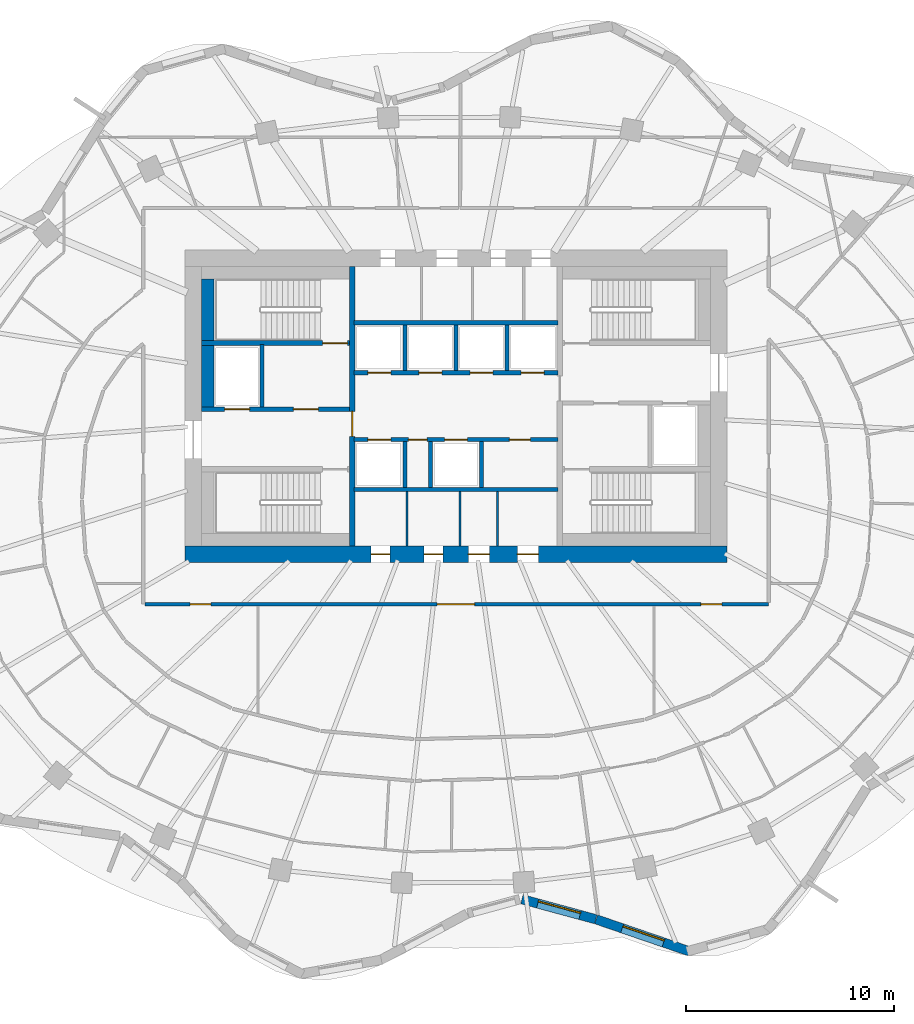
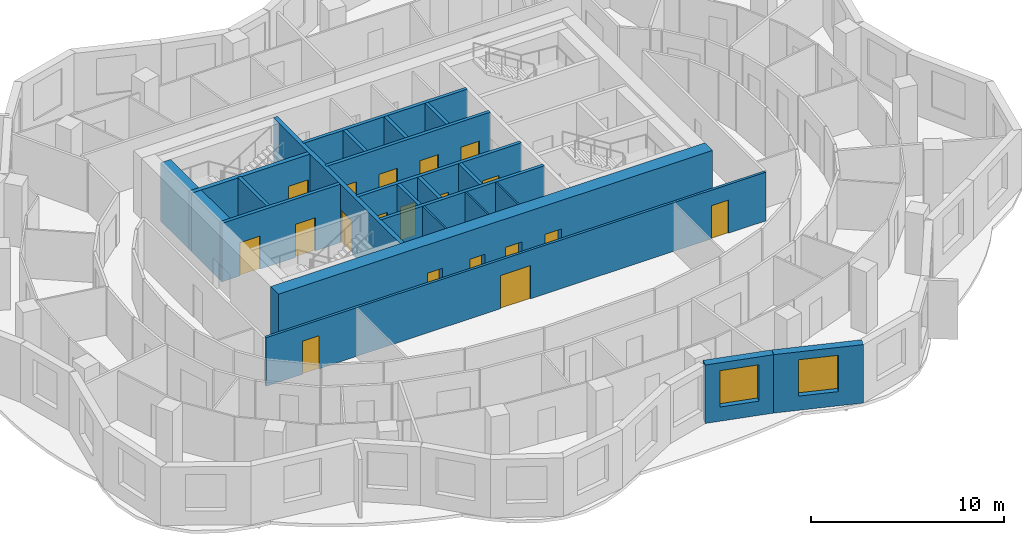
# One storey, part 5 of 11: 23 walls, 19 doors, 2 windows, 21 openings.
"""IFC4 building model written with IfcOpenShell, lengths in metres."""

import ifcopenshell
import ifcopenshell.guid

model = None  # the IFC model being written
_history = None  # IfcOwnerHistory: only IFC2X3 demands one
_inside = {}  # id of a spatial element -> (the spatial element, [elements in it])
_under = {}  # id of a project, library or spatial element -> (it, [spatial elements below it])
_declared = {}  # id of a project -> (the project, [libraries it declares])
_typed = {}  # id of a type object -> (the type object, [elements of that type])
_made_of = {}  # id of a material, layer set ... -> (it, [elements and type objects made of it])


def new_model(schema):
    """Start an empty IFC model of exactly this schema.

    Asked for "IFC4X3", IfcOpenShell would pick the latest addendum, in which some entities
    have other attributes; the version numbers below select the first issue.
    IFC2X3 requires an IfcOwnerHistory on every rooted entity: one is made here for all.
    """
    global model, _history
    if schema == "IFC4X3":
        model = ifcopenshell.file(schema_version=(4, 3, 0, 0))
    else:
        model = ifcopenshell.file(schema=schema)
    _inside.clear()
    _under.clear()
    _declared.clear()
    _typed.clear()
    _made_of.clear()
    _history = None
    if model.schema == "IFC2X3":
        org = make("IfcOrganization", Name="unknown")
        user = make(
            "IfcPersonAndOrganization",
            ThePerson=make("IfcPerson", FamilyName="unknown"),
            TheOrganization=org,
        )
        app = make(
            "IfcApplication",
            ApplicationDeveloper=org,
            Version="unknown",
            ApplicationFullName="unknown",
            ApplicationIdentifier="unknown",
        )
        _history = make(
            "IfcOwnerHistory",
            OwningUser=user,
            OwningApplication=app,
            ChangeAction="ADDED",
            CreationDate=0,
        )
    return model


def make(cls, **values):
    """One entity of the class cls with the attributes given. An attribute that is None is left unset."""
    return model.create_entity(
        cls, **{name: value for name, value in values.items() if value is not None}
    )


def rooted(cls, **values):
    """An entity with a GlobalId (a new one), such as an element, a storey or a relation."""
    return make(cls, GlobalId=ifcopenshell.guid.new(), OwnerHistory=_history, **values)


def si_unit(unit_type, name, prefix=None):
    """IfcSIUnit, for example si_unit("LENGTHUNIT", "METRE", prefix="MILLI")."""
    return make("IfcSIUnit", UnitType=unit_type, Prefix=prefix, Name=name)


def assignment(units):
    """IfcUnitAssignment: the units of a project."""
    return None if units is None else make("IfcUnitAssignment", Units=units)


def point(xyz):
    """IfcCartesianPoint."""
    return None if xyz is None else make("IfcCartesianPoint", Coordinates=xyz)


def direction(xyz):
    """IfcDirection."""
    return None if xyz is None else make("IfcDirection", DirectionRatios=xyz)


def frame(location, z_axis=None, x_axis=None):
    """IfcAxis2Placement3D, a coordinate frame: its origin and axes. An axis left out is left unset."""
    return make(
        "IfcAxis2Placement3D",
        Location=point(location),
        Axis=direction(z_axis),
        RefDirection=direction(x_axis),
    )


def frame_2d(location, x_axis=None):
    """IfcAxis2Placement2D, a coordinate frame in the plane: its origin and x axis."""
    return make(
        "IfcAxis2Placement2D", Location=point(location), RefDirection=direction(x_axis)
    )


def origin():
    """The frame at (0, 0, 0) with its axes left unset."""
    return frame((0.0, 0.0, 0.0))


def place(relative_to, where):
    """IfcLocalPlacement: puts the frame where relative to a parent placement (None: the world)."""
    return make(
        "IfcLocalPlacement", PlacementRelTo=relative_to, RelativePlacement=where
    )


def context(
    kind, dimensions, precision=None, world=None, true_north=None, identifier=None
):
    """IfcGeometricRepresentationContext, for example the 3D "Model" context."""
    return make(
        "IfcGeometricRepresentationContext",
        ContextIdentifier=identifier,
        ContextType=kind,
        CoordinateSpaceDimension=dimensions,
        Precision=precision,
        WorldCoordinateSystem=world,
        TrueNorth=true_north,
    )


def subcontext(parent, identifier, kind, view, scale=None):
    """IfcGeometricRepresentationSubContext, for example "Body" below "Model"."""
    return make(
        "IfcGeometricRepresentationSubContext",
        ContextIdentifier=identifier,
        ContextType=kind,
        ParentContext=parent,
        TargetScale=scale,
        TargetView=view,
    )


def project(units=None, contexts=None):
    """IfcProject with its units and contexts."""
    return rooted(
        "IfcProject",
        Name="project",
        RepresentationContexts=contexts,
        UnitsInContext=assignment(units),
    )


def spatial(cls, under=None, at=None, **own):
    """A site, building, storey or space (cls), placed at a placement, below another one or the project."""
    s = rooted(cls, ObjectPlacement=at, **own)
    if under is not None:
        _under.setdefault(under.id(), (under, []))[1].append(s)
    return s


def profile(cls, at=None, kind="AREA", **sizes):
    """A parametric profile (cls). Its sizes go by their IFC names, for example OverallWidth=200.0."""
    return make(cls, ProfileType=kind, Position=at, **sizes)


def rectangle(**sizes):
    """IfcRectangleProfileDef."""
    return profile("IfcRectangleProfileDef", **sizes)


def extrude(swept, where, along, depth):
    """IfcExtrudedAreaSolid: the profile swept, set in the frame where, extruded along a direction by depth."""
    return make(
        "IfcExtrudedAreaSolid",
        SweptArea=swept,
        Position=where,
        ExtrudedDirection=direction(along),
        Depth=depth,
    )


def shape(context_of_items, identifier, shape_type, items):
    """IfcShapeRepresentation: the items that make up one representation, for example the "Body"."""
    return make(
        "IfcShapeRepresentation",
        ContextOfItems=context_of_items,
        RepresentationIdentifier=identifier,
        RepresentationType=shape_type,
        Items=items,
    )


def material(Name=None, Category=None):
    """IfcMaterial."""
    return make("IfcMaterial", Name=Name, Category=Category)


def layer(
    of_material, thickness, ventilated=None, Name=None, Category=None, Priority=None
):
    """IfcMaterialLayer: one layer of a wall or slab, of a material (None: an air gap)."""
    return make(
        "IfcMaterialLayer",
        Material=of_material,
        LayerThickness=thickness,
        IsVentilated=ventilated,
        Name=Name,
        Category=Category,
        Priority=Priority,
    )


def layer_set(layers, Name=None):
    """IfcMaterialLayerSet."""
    return make("IfcMaterialLayerSet", MaterialLayers=layers, LayerSetName=Name)


def made_of(thing, what):
    """Note that an element or type object is made of a material, layer set ...; save() writes the relation."""
    if what is not None:
        _made_of.setdefault(what.id(), (what, []))[1].append(thing)
    return thing


def type_object(cls, material=None, **own):
    """A type object (cls), such as IfcWallType, which elements share."""
    return made_of(rooted(cls, **own), material)


def element(
    cls,
    number,
    at=None,
    inside=None,
    cuts=None,
    type_object=None,
    material=None,
    context=None,
    identifier="Body",
    shape_type=None,
    held_by="IfcProductDefinitionShape",
    body=None,
    shapes=None,
    **own,
):
    """One element of the class cls, such as IfcWall. Its Tag is "e" and its number.

    at: its placement. inside: the storey or other place that contains it. cuts: it is an
    opening in that element (IfcRelVoidsElement). A single representation is given by context,
    identifier, shape_type and body (its items); several are given by shapes. held_by: the class
    of the entity that holds the representations. save() writes the other relations.
    """
    e = rooted(cls, Tag="e%d" % number, ObjectPlacement=at, **own)
    if body is not None:
        shapes = [shape(context, identifier, shape_type, body)]
    if shapes is not None:
        e.Representation = make(held_by, Representations=shapes)
    if inside is not None:
        _inside.setdefault(inside.id(), (inside, []))[1].append(e)
    if cuts is not None:
        rooted(
            "IfcRelVoidsElement", RelatingBuildingElement=cuts, RelatedOpeningElement=e
        )
    if type_object is not None:
        _typed.setdefault(type_object.id(), (type_object, []))[1].append(e)
    return made_of(e, material)


def fill(opening, filler):
    """IfcRelFillsElement: the door or window that sits in an opening."""
    return rooted(
        "IfcRelFillsElement",
        RelatingOpeningElement=opening,
        RelatedBuildingElement=filler,
    )


def aggregate(whole, parts):
    """IfcRelAggregates: a whole, such as a stair, and the parts it consists of."""
    return rooted("IfcRelAggregates", RelatingObject=whole, RelatedObjects=parts)


def save(model, path):
    """Write the relations noted so far, then the file.

    IfcRelAggregates (storeys below a building ...), IfcRelContainedInSpatialStructure (elements
    in a storey), IfcRelDefinesByType, IfcRelAssociatesMaterial and IfcRelDeclares: one each for
    every whole, place, type object, material and project.
    """
    for whole, parts in _under.values():
        aggregate(whole, parts)
    for where, things in _inside.values():
        rooted(
            "IfcRelContainedInSpatialStructure",
            RelatedElements=things,
            RelatingStructure=where,
        )
    for kind, things in _typed.values():
        rooted("IfcRelDefinesByType", RelatedObjects=things, RelatingType=kind)
    for what, things in _made_of.values():
        rooted("IfcRelAssociatesMaterial", RelatedObjects=things, RelatingMaterial=what)
    for by, libraries in _declared.values():
        rooted("IfcRelDeclares", RelatingContext=by, RelatedDefinitions=libraries)
    model.write(path)


model = new_model("IFC4")

# Units and contexts
model_context = context("Model", 3, precision=1e-05, world=origin(), true_north=direction((0.0, 1.0)))
body_context = subcontext(model_context, "Body", "Model", "MODEL_VIEW")
ifc_project = project(units=[si_unit("LENGTHUNIT", "METRE"), si_unit("AREAUNIT", "SQUARE_METRE"), si_unit("VOLUMEUNIT", "CUBIC_METRE"), si_unit("PLANEANGLEUNIT", "RADIAN"), si_unit("MASSUNIT", "GRAM", prefix="KILO")], contexts=[model_context])

# Site, building, storey
site_placement = place(None, origin())
site = spatial("IfcSite", under=ifc_project, at=site_placement, CompositionType="ELEMENT")
building_placement = place(site_placement, origin())
building = spatial("IfcBuilding", under=site, at=building_placement, Name="Rubra Terraces Tower", CompositionType="ELEMENT")
storey_placement = place(building_placement, frame((0.0, 0.0, 174.0)))
storey = spatial("IfcBuildingStorey", under=building, at=storey_placement, Name="L42", CompositionType="ELEMENT", Elevation=174.0)

# Wall, opening, window
ifc_material_1 = material(Name="Brick masonry red-brown", Category="masonry")
ifc_layer_1 = layer(ifc_material_1, 0.449951171875)
ifc_layer_set_1 = layer_set([ifc_layer_1], Name="Brick masonry red-brown")
wall_type_1 = type_object("IfcWallType", Name="Brick facade wall 450", PredefinedType="SOLIDWALL", material=ifc_layer_set_1)
wall_1_placement = place(storey_placement, frame((3.164306640625, -19.147216796875, 0.0), z_axis=(0.0, 0.0, 1.0), x_axis=(0.965039479998, -0.262104563191, 0.0)))
wall_1 = element("IfcWall", 1, at=wall_1_placement, inside=storey, type_object=wall_type_1, Name="Facade wall L42 bay 32", PredefinedType="SOLIDWALL", context=body_context, shape_type="SweptSolid", body=[
    extrude(rectangle(XDim=3.671875, YDim=0.449951171875, at=frame_2d((1.8359375, 0.0))), origin(), (0.0, 0.0, 1.0), 3.699951171875),
])
opening_1_placement = place(wall_1_placement, frame((0.785888671875, 0.0, 0.89990234375)))
opening_1 = element("IfcOpeningElement", 2, at=opening_1_placement, cuts=wall_1, Name="Opening W1B", PredefinedType="OPENING", context=body_context, shape_type="SweptSolid", body=[
    extrude(rectangle(XDim=2.10009765625, YDim=2.300048828125, at=frame_2d((1.050048828125, 1.14990234375))), frame((0.0, 0.23486328125, 0.0), z_axis=(0.0, -1.0, 0.0), x_axis=(1.0, 0.0, 0.0)), (0.0, 0.0, 1.0), 0.469970703125),
])
ifc_material_2 = material(Name="Clear glass in aluminium frame", Category="aluminium")
window_type = type_object("IfcWindowType", Name="Fixed deep-set window tall storey 2100 x 2300", PartitioningType="SINGLE_PANEL", PredefinedType="WINDOW", material=ifc_material_2)
window_1_placement = place(opening_1_placement, origin())
window_1 = element("IfcWindow", 3, at=window_1_placement, inside=storey, type_object=window_type, Name="Window L42 bay 32", OverallHeight=2.300048828125, OverallWidth=2.10009765625, PartitioningType="SINGLE_PANEL", PredefinedType="WINDOW", context=body_context, shape_type="SweptSolid", body=[
    extrude(rectangle(XDim=2.10009765625, YDim=2.300048828125, at=frame_2d((1.050048828125, 1.14990234375))), frame((0.0, 0.135009765625, 0.0), z_axis=(0.0, -1.0, 0.0), x_axis=(1.0, 0.0, 0.0)), (0.0, 0.0, 1.0), 0.06005859375),
])
fill(opening_1, window_1)

wall_2_placement = place(storey_placement, frame((6.722900390625, -20.114013671875, 0.0), z_axis=(0.0, 0.0, 1.0), x_axis=(0.945947299026, -0.324320377815, 0.0)))
wall_2 = element("IfcWall", 4, at=wall_2_placement, inside=storey, type_object=wall_type_1, Name="Facade wall L42 bay 33", PredefinedType="SOLIDWALL", context=body_context, shape_type="SweptSolid", body=[
    extrude(rectangle(XDim=4.74462890625, YDim=0.449951171875, at=frame_2d((2.372314453125, 0.0))), origin(), (0.0, 0.0, 1.0), 3.699951171875),
])
opening_2_placement = place(wall_2_placement, frame((1.322265625, 0.0, 0.89990234375)))
opening_2 = element("IfcOpeningElement", 5, at=opening_2_placement, cuts=wall_2, Name="Opening W1B", PredefinedType="OPENING", context=body_context, shape_type="SweptSolid", body=[
    extrude(rectangle(XDim=2.10009765625, YDim=2.300048828125, at=frame_2d((1.050048828125, 1.14990234375))), frame((0.0, 0.23486328125, 0.0), z_axis=(0.0, -1.0, 0.0), x_axis=(1.0, 0.0, 0.0)), (0.0, 0.0, 1.0), 0.469970703125),
])
window_2_placement = place(opening_2_placement, origin())
window_2 = element("IfcWindow", 6, at=window_2_placement, inside=storey, type_object=window_type, Name="Window L42 bay 33", OverallHeight=2.300048828125, OverallWidth=2.10009765625, PartitioningType="SINGLE_PANEL", PredefinedType="WINDOW", context=body_context, shape_type="SweptSolid", body=[
    extrude(rectangle(XDim=2.10009765625, YDim=2.300048828125, at=frame_2d((1.050048828125, 1.14990234375))), frame((0.0, 0.135009765625, 0.0), z_axis=(0.0, -1.0, 0.0), x_axis=(1.0, 0.0, 0.0)), (0.0, 0.0, 1.0), 0.06005859375),
])
fill(opening_2, window_2)

# Wall, openings, doors
ifc_material_3 = material(Name="Concrete C50", Category="concrete")
ifc_layer_2 = layer(ifc_material_3, 0.800048828125)
ifc_layer_set_2 = layer_set([ifc_layer_2], Name="Concrete C50")
wall_type_2 = type_object("IfcWallType", Name="CORE WALL 800 C50", PredefinedType="SHEAR", material=ifc_layer_set_2)
wall_3_placement = place(storey_placement, frame((-13.0, -2.60009765625, 0.0), z_axis=(0.0, 0.0, 1.0), x_axis=(1.0, 0.0, 0.0)))
wall_3 = element("IfcWall", 7, at=wall_3_placement, inside=storey, type_object=wall_type_2, Name="CORE WALL S L42", PredefinedType="SHEAR", context=body_context, shape_type="SweptSolid", body=[
    extrude(rectangle(XDim=26.0, YDim=0.800048828125, at=frame_2d((13.0, 0.0))), origin(), (0.0, 0.0, 1.0), 3.89990234375),
])
opening_3_placement = place(wall_3_placement, frame((8.925048828125, 0.0, 0.0)))
opening_3 = element("IfcOpeningElement", 8, at=opening_3_placement, cuts=wall_3, Name="Opening L42.C21", PredefinedType="OPENING", context=body_context, shape_type="SweptSolid", body=[
    extrude(rectangle(XDim=0.89990234375, YDim=2.10009765625, at=frame_2d((0.449951171875, 1.050048828125))), frame((0.0, 0.409912109375, 0.0), z_axis=(0.0, -1.0, 0.0), x_axis=(1.0, 0.0, 0.0)), (0.0, 0.0, 1.0), 0.820068359375),
])
opening_4_placement = place(wall_3_placement, frame((11.47509765625, 0.0, 0.0)))
opening_4 = element("IfcOpeningElement", 9, at=opening_4_placement, cuts=wall_3, Name="Opening L42.C22", PredefinedType="OPENING", context=body_context, shape_type="SweptSolid", body=[
    extrude(rectangle(XDim=0.89990234375, YDim=2.10009765625, at=frame_2d((0.449951171875, 1.050048828125))), frame((0.0, 0.409912109375, 0.0), z_axis=(0.0, -1.0, 0.0), x_axis=(1.0, 0.0, 0.0)), (0.0, 0.0, 1.0), 0.820068359375),
])
opening_5_placement = place(wall_3_placement, frame((13.60009765625, 0.0, 0.0)))
opening_5 = element("IfcOpeningElement", 10, at=opening_5_placement, cuts=wall_3, Name="Opening L42.C23", PredefinedType="OPENING", context=body_context, shape_type="SweptSolid", body=[
    extrude(rectangle(XDim=1.0, YDim=2.10009765625, at=frame_2d((0.5, 1.050048828125))), frame((0.0, 0.409912109375, 0.0), z_axis=(0.0, -1.0, 0.0), x_axis=(1.0, 0.0, 0.0)), (0.0, 0.0, 1.0), 0.820068359375),
])
opening_6_placement = place(wall_3_placement, frame((15.949951171875, 0.0, 0.0)))
opening_6 = element("IfcOpeningElement", 11, at=opening_6_placement, cuts=wall_3, Name="Opening L42.C24", PredefinedType="OPENING", context=body_context, shape_type="SweptSolid", body=[
    extrude(rectangle(XDim=1.0, YDim=2.10009765625, at=frame_2d((0.5, 1.050048828125))), frame((0.0, 0.409912109375, 0.0), z_axis=(0.0, -1.0, 0.0), x_axis=(1.0, 0.0, 0.0)), (0.0, 0.0, 1.0), 0.820068359375),
])
ifc_material_4 = material(Name="Painted steel", Category="steel")
door_type_1 = type_object("IfcDoorType", Name="Fire door 1000x2100 single", OperationType="NOTDEFINED", PredefinedType="DOOR", material=ifc_material_4)
door_1_placement = place(opening_5_placement, origin())
door_1 = element("IfcDoor", 12, at=door_1_placement, inside=storey, type_object=door_type_1, Name="Accessible WC door", OperationType="SINGLE_SWING_LEFT", OverallHeight=2.10009765625, OverallWidth=1.0, PredefinedType="DOOR", context=body_context, shape_type="SweptSolid", body=[
    extrude(rectangle(XDim=1.0, YDim=2.10009765625, at=frame_2d((0.5, 1.050048828125))), frame((0.0, 0.02490234375, 0.0), z_axis=(0.0, -1.0, 0.0), x_axis=(1.0, 0.0, 0.0)), (0.0, 0.0, 1.0), 0.050048828125),
])
fill(opening_5, door_1)
door_2_placement = place(opening_6_placement, origin())
door_2 = element("IfcDoor", 13, at=door_2_placement, inside=storey, type_object=door_type_1, Name="General store door", OperationType="SINGLE_SWING_RIGHT", OverallHeight=2.10009765625, OverallWidth=1.0, PredefinedType="DOOR", context=body_context, shape_type="SweptSolid", body=[
    extrude(rectangle(XDim=1.0, YDim=2.10009765625, at=frame_2d((0.5, 1.050048828125))), frame((0.0, 0.02490234375, 0.0), z_axis=(0.0, -1.0, 0.0), x_axis=(1.0, 0.0, 0.0)), (0.0, 0.0, 1.0), 0.050048828125),
])
fill(opening_6, door_2)
door_type_2 = type_object("IfcDoorType", Name="Fire door 900x2100 single", OperationType="NOTDEFINED", PredefinedType="DOOR", material=ifc_material_4)
door_3_placement = place(opening_3_placement, origin())
door_3 = element("IfcDoor", 14, at=door_3_placement, inside=storey, type_object=door_type_2, Name="Ladies WC door", OperationType="SINGLE_SWING_LEFT", OverallHeight=2.10009765625, OverallWidth=0.89990234375, PredefinedType="DOOR", context=body_context, shape_type="SweptSolid", body=[
    extrude(rectangle(XDim=0.89990234375, YDim=2.10009765625, at=frame_2d((0.449951171875, 1.050048828125))), frame((0.0, 0.02490234375, 0.0), z_axis=(0.0, -1.0, 0.0), x_axis=(1.0, 0.0, 0.0)), (0.0, 0.0, 1.0), 0.050048828125),
])
fill(opening_3, door_3)
door_4_placement = place(opening_4_placement, origin())
door_4 = element("IfcDoor", 15, at=door_4_placement, inside=storey, type_object=door_type_2, Name="Gents WC door", OperationType="SINGLE_SWING_RIGHT", OverallHeight=2.10009765625, OverallWidth=0.89990234375, PredefinedType="DOOR", context=body_context, shape_type="SweptSolid", body=[
    extrude(rectangle(XDim=0.89990234375, YDim=2.10009765625, at=frame_2d((0.449951171875, 1.050048828125))), frame((0.0, 0.02490234375, 0.0), z_axis=(0.0, -1.0, 0.0), x_axis=(1.0, 0.0, 0.0)), (0.0, 0.0, 1.0), 0.050048828125),
])
fill(opening_4, door_4)

ifc_material_5 = material(Name="Plasterboard on steel stud, mineral wool infill", Category="steel")
ifc_layer_3 = layer(ifc_material_5, 0.14990234375)
ifc_layer_set_3 = layer_set([ifc_layer_3], Name="Plasterboard on steel stud, mineral wool infill")
wall_type_3 = type_object("IfcWallType", Name="CORRIDOR PARTITION 150", PredefinedType="PARTITIONING", material=ifc_layer_set_3)
wall_4_placement = place(storey_placement, frame((-14.925048828125, -5.0, 0.0), z_axis=(0.0, 0.0, 1.0), x_axis=(1.0, 0.0, 0.0)))
wall_4 = element("IfcWall", 16, at=wall_4_placement, inside=storey, type_object=wall_type_3, Name="PARTITION", PredefinedType="PARTITIONING", context=body_context, shape_type="SweptSolid", body=[
    extrude(rectangle(XDim=29.925048828125, YDim=0.14990234375, at=frame_2d((14.96240234375, 0.0))), origin(), (0.0, 0.0, 1.0), 3.083984375),
])
opening_7_placement = place(wall_4_placement, frame((2.175048828125, 0.0, 0.0)))
opening_7 = element("IfcOpeningElement", 17, at=opening_7_placement, cuts=wall_4, Name="Opening 42-128", PredefinedType="OPENING", context=body_context, shape_type="SweptSolid", body=[
    extrude(rectangle(XDim=1.0, YDim=2.10009765625, at=frame_2d((0.5, 1.050048828125))), frame((0.0, 0.0849609375, 0.0), z_axis=(0.0, -1.0, 0.0), x_axis=(1.0, 0.0, 0.0)), (0.0, 0.0, 1.0), 0.169921875),
])
opening_8_placement = place(wall_4_placement, frame((14.02490234375, 0.0, 0.0)))
opening_8 = element("IfcOpeningElement", 18, at=opening_8_placement, cuts=wall_4, Name="Opening 42-129", PredefinedType="OPENING", context=body_context, shape_type="SweptSolid", body=[
    extrude(rectangle(XDim=1.800048828125, YDim=2.10009765625, at=frame_2d((0.89990234375, 1.050048828125))), frame((0.0, 0.0849609375, 0.0), z_axis=(0.0, -1.0, 0.0), x_axis=(1.0, 0.0, 0.0)), (0.0, 0.0, 1.0), 0.169921875),
])
opening_9_placement = place(wall_4_placement, frame((26.675048828125, 0.0, 0.0)))
opening_9 = element("IfcOpeningElement", 19, at=opening_9_placement, cuts=wall_4, Name="Opening 42-130", PredefinedType="OPENING", context=body_context, shape_type="SweptSolid", body=[
    extrude(rectangle(XDim=1.0, YDim=2.10009765625, at=frame_2d((0.5, 1.050048828125))), frame((0.0, 0.0849609375, 0.0), z_axis=(0.0, -1.0, 0.0), x_axis=(1.0, 0.0, 0.0)), (0.0, 0.0, 1.0), 0.169921875),
])
ifc_material_6 = material(Name="Painted timber door leaf", Category="wood")
door_type_3 = type_object("IfcDoorType", Name="ROOM DOOR 1000 X 2100", OperationType="SINGLE_SWING_LEFT", PredefinedType="DOOR", material=ifc_material_6)
door_5_placement = place(opening_7_placement, origin())
door_5 = element("IfcDoor", 20, at=door_5_placement, inside=storey, type_object=door_type_3, Name="DOOR 42-128", OperationType="SINGLE_SWING_RIGHT", OverallHeight=2.10009765625, OverallWidth=1.0, PredefinedType="DOOR", context=body_context, shape_type="SweptSolid", body=[
    extrude(rectangle(XDim=1.0, YDim=2.10009765625, at=frame_2d((0.5, 1.050048828125))), frame((0.0, 0.02490234375, 0.0), z_axis=(0.0, -1.0, 0.0), x_axis=(1.0, 0.0, 0.0)), (0.0, 0.0, 1.0), 0.050048828125),
])
fill(opening_7, door_5)
door_6_placement = place(opening_9_placement, origin())
door_6 = element("IfcDoor", 21, at=door_6_placement, inside=storey, type_object=door_type_3, Name="DOOR 42-130", OperationType="SINGLE_SWING_RIGHT", OverallHeight=2.10009765625, OverallWidth=1.0, PredefinedType="DOOR", context=body_context, shape_type="SweptSolid", body=[
    extrude(rectangle(XDim=1.0, YDim=2.10009765625, at=frame_2d((0.5, 1.050048828125))), frame((0.0, 0.02490234375, 0.0), z_axis=(0.0, -1.0, 0.0), x_axis=(1.0, 0.0, 0.0)), (0.0, 0.0, 1.0), 0.050048828125),
])
fill(opening_9, door_6)
ifc_material_7 = material(Name="Painted timber door leaf, double", Category="wood")
door_type_4 = type_object("IfcDoorType", Name="ROOM DOUBLE DOOR 1800 X 2100", OperationType="DOUBLE_DOOR_SINGLE_SWING", PredefinedType="DOOR", material=ifc_material_7)
door_7_placement = place(opening_8_placement, origin())
door_7 = element("IfcDoor", 22, at=door_7_placement, inside=storey, type_object=door_type_4, Name="DOOR 42-129", OperationType="DOUBLE_DOOR_SINGLE_SWING", OverallHeight=2.10009765625, OverallWidth=1.800048828125, PredefinedType="DOOR", context=body_context, shape_type="SweptSolid", body=[
    extrude(rectangle(XDim=1.800048828125, YDim=2.10009765625, at=frame_2d((0.89990234375, 1.050048828125))), frame((0.0, 0.02490234375, 0.0), z_axis=(0.0, -1.0, 0.0), x_axis=(1.0, 0.0, 0.0)), (0.0, 0.0, 1.0), 0.050048828125),
])
fill(opening_8, door_7)

# Walls
ifc_material_8 = material(Name="Concrete C40", Category="concrete")
ifc_layer_4 = layer(ifc_material_8, 0.60009765625)
ifc_layer_set_4 = layer_set([ifc_layer_4], Name="Concrete C40")
wall_type_4 = type_object("IfcWallType", Name="Core lining wall 600 concrete", PredefinedType="SOLIDWALL", material=ifc_layer_set_4)
wall_5_placement = place(storey_placement, frame((-11.89990234375, 4.449951171875, 0.0), z_axis=(0.0, 0.0, 1.0), x_axis=(0.0, 1.0, 0.0)))
element("IfcWall", 23, at=wall_5_placement, inside=storey, type_object=wall_type_4, Name="CORE LINING WALL L42", PredefinedType="SOLIDWALL", context=body_context, shape_type="SweptSolid", body=[
    extrude(rectangle(XDim=3.0, YDim=0.60009765625, at=frame_2d((1.5, 0.0))), origin(), (0.0, 0.0, 1.0), 3.699951171875),
])
wall_6_placement = place(storey_placement, frame((-11.89990234375, 7.64990234375, 0.0), z_axis=(0.0, 0.0, 1.0), x_axis=(0.0, 1.0, 0.0)))
element("IfcWall", 24, at=wall_6_placement, inside=storey, type_object=wall_type_4, Name="CORE LINING WALL L42", PredefinedType="SOLIDWALL", context=body_context, shape_type="SweptSolid", body=[
    extrude(rectangle(XDim=2.9501953125, YDim=0.60009765625, at=frame_2d((1.47509765625, 0.0))), origin(), (0.0, 0.0, 1.0), 3.699951171875),
])

# Wall, openings, doors
ifc_material_9 = material(Name="Concrete C30", Category="concrete")
ifc_layer_5 = layer(ifc_material_9, 0.199951171875)
ifc_layer_set_5 = layer_set([ifc_layer_5], Name="Concrete C30")
wall_type_5 = type_object("IfcWallType", Name="Core wall 200 concrete", PredefinedType="SOLIDWALL", material=ifc_layer_set_5)
wall_7_placement = place(storey_placement, frame((-12.199951171875, 4.35009765625, 0.0), z_axis=(0.0, 0.0, 1.0), x_axis=(1.0, 0.0, 0.0)))
wall_7 = element("IfcWall", 25, at=wall_7_placement, inside=storey, type_object=wall_type_5, Name="STAIR WALL L42", PredefinedType="SOLIDWALL", context=body_context, shape_type="SweptSolid", body=[
    extrude(rectangle(XDim=7.099853515625, YDim=0.199951171875, at=frame_2d((3.5498046875, 0.0))), origin(), (0.0, 0.0, 1.0), 3.699951171875),
])
opening_10_placement = place(wall_7_placement, frame((4.39990234375, 0.0, 0.0)))
opening_10 = element("IfcOpeningElement", 26, at=opening_10_placement, cuts=wall_7, Name="Opening L42.C05", PredefinedType="OPENING", context=body_context, shape_type="SweptSolid", body=[
    extrude(rectangle(XDim=1.199951171875, YDim=2.10009765625, at=frame_2d((0.60009765625, 1.050048828125))), frame((0.0, 0.10986328125, 0.0), z_axis=(0.0, -1.0, 0.0), x_axis=(1.0, 0.0, 0.0)), (0.0, 0.0, 1.0), 0.219970703125),
])
opening_11_placement = place(wall_7_placement, frame((1.10009765625, 0.0, 0.0)))
opening_11 = element("IfcOpeningElement", 27, at=opening_11_placement, cuts=wall_7, Name="Opening L42.C11", PredefinedType="OPENING", context=body_context, shape_type="SweptSolid", body=[
    extrude(rectangle(XDim=1.199951171875, YDim=2.10009765625, at=frame_2d((0.60009765625, 1.050048828125))), frame((0.0, 0.10986328125, 0.0), z_axis=(0.0, -1.0, 0.0), x_axis=(1.0, 0.0, 0.0)), (0.0, 0.0, 1.0), 0.219970703125),
])
door_type_5 = type_object("IfcDoorType", Name="Fire door 1200x2100 single", OperationType="NOTDEFINED", PredefinedType="DOOR", material=ifc_material_4)
door_8_placement = place(opening_10_placement, origin())
door_8 = element("IfcDoor", 28, at=door_8_placement, inside=storey, type_object=door_type_5, Name="Stair vestibule door S2", OperationType="SINGLE_SWING_LEFT", OverallHeight=2.10009765625, OverallWidth=1.199951171875, PredefinedType="DOOR", context=body_context, shape_type="SweptSolid", body=[
    extrude(rectangle(XDim=1.199951171875, YDim=2.10009765625, at=frame_2d((0.60009765625, 1.050048828125))), frame((0.0, 0.02490234375, 0.0), z_axis=(0.0, -1.0, 0.0), x_axis=(1.0, 0.0, 0.0)), (0.0, 0.0, 1.0), 0.050048828125),
])
fill(opening_10, door_8)
ifc_material_10 = material(Name="Stainless steel", Category="steel")
door_type_6 = type_object("IfcDoorType", Name="Lift landing door 1200x2100", OperationType="NOTDEFINED", PredefinedType="DOOR", material=ifc_material_10)
door_9_placement = place(opening_11_placement, origin())
door_9 = element("IfcDoor", 29, at=door_9_placement, inside=storey, type_object=door_type_6, Name="Landing door FF1", OperationType="SLIDING_TO_RIGHT", OverallHeight=2.10009765625, OverallWidth=1.199951171875, PredefinedType="DOOR", context=body_context, shape_type="SweptSolid", body=[
    extrude(rectangle(XDim=1.199951171875, YDim=2.10009765625, at=frame_2d((0.60009765625, 1.050048828125))), frame((0.0, 0.02490234375, 0.0), z_axis=(0.0, -1.0, 0.0), x_axis=(1.0, 0.0, 0.0)), (0.0, 0.0, 1.0), 0.050048828125),
])
fill(opening_11, door_9)

# Walls
wall_8_placement = place(storey_placement, frame((-9.300048828125, 4.449951171875, 0.0), z_axis=(0.0, 0.0, 1.0), x_axis=(0.0, 1.0, 0.0)))
element("IfcWall", 30, at=wall_8_placement, inside=storey, type_object=wall_type_5, Name="STAIR WALL L42", PredefinedType="SOLIDWALL", context=body_context, shape_type="SweptSolid", body=[
    extrude(rectangle(XDim=3.0, YDim=0.199951171875, at=frame_2d((1.5, 0.0))), origin(), (0.0, 0.0, 1.0), 3.699951171875),
])
wall_9_placement = place(storey_placement, frame((-4.89990234375, 0.5, 0.0), z_axis=(0.0, 0.0, 1.0), x_axis=(1.0, 0.0, 0.0)))
element("IfcWall", 31, at=wall_9_placement, inside=storey, type_object=wall_type_5, Name="LIFT SHAFT WALL L42", PredefinedType="SOLIDWALL", context=body_context, shape_type="SweptSolid", body=[
    extrude(rectangle(XDim=9.7998046875, YDim=0.199951171875, at=frame_2d((4.89990234375, 0.0))), origin(), (0.0, 0.0, 1.0), 3.699951171875),
])

# Wall, openings, doors
wall_10_placement = place(storey_placement, frame((-4.89990234375, 2.89990234375, 0.0), z_axis=(0.0, 0.0, 1.0), x_axis=(1.0, 0.0, 0.0)))
wall_10 = element("IfcWall", 32, at=wall_10_placement, inside=storey, type_object=wall_type_5, Name="LIFT SHAFT WALL L42", PredefinedType="SOLIDWALL", context=body_context, shape_type="SweptSolid", body=[
    extrude(rectangle(XDim=9.7998046875, YDim=0.199951171875, at=frame_2d((4.89990234375, 0.0))), origin(), (0.0, 0.0, 1.0), 3.699951171875),
])
opening_12_placement = place(wall_10_placement, frame((0.675048828125, 0.0, 0.0)))
opening_12 = element("IfcOpeningElement", 33, at=opening_12_placement, cuts=wall_10, Name="Opening L42.C13", PredefinedType="OPENING", context=body_context, shape_type="SweptSolid", body=[
    extrude(rectangle(XDim=1.10009765625, YDim=2.10009765625, at=frame_2d((0.550048828125, 1.050048828125))), frame((0.0, 0.10986328125, 0.0), z_axis=(0.0, -1.0, 0.0), x_axis=(1.0, 0.0, 0.0)), (0.0, 0.0, 1.0), 0.219970703125),
])
opening_13_placement = place(wall_10_placement, frame((2.613037109375, 0.0, 0.0)))
opening_13 = element("IfcOpeningElement", 34, at=opening_13_placement, cuts=wall_10, Name="Opening L42.C14", PredefinedType="OPENING", context=body_context, shape_type="SweptSolid", body=[
    extrude(rectangle(XDim=0.89990234375, YDim=2.10009765625, at=frame_2d((0.449951171875, 1.050048828125))), frame((0.0, 0.10986328125, 0.0), z_axis=(0.0, -1.0, 0.0), x_axis=(1.0, 0.0, 0.0)), (0.0, 0.0, 1.0), 0.219970703125),
])
opening_14_placement = place(wall_10_placement, frame((4.35009765625, 0.0, 0.0)))
opening_14 = element("IfcOpeningElement", 35, at=opening_14_placement, cuts=wall_10, Name="Opening L42.C15", PredefinedType="OPENING", context=body_context, shape_type="SweptSolid", body=[
    extrude(rectangle(XDim=1.10009765625, YDim=2.10009765625, at=frame_2d((0.550048828125, 1.050048828125))), frame((0.0, 0.10986328125, 0.0), z_axis=(0.0, -1.0, 0.0), x_axis=(1.0, 0.0, 0.0)), (0.0, 0.0, 1.0), 0.219970703125),
])
opening_15_placement = place(wall_10_placement, frame((7.462890625, 0.0, 0.0)))
opening_15 = element("IfcOpeningElement", 36, at=opening_15_placement, cuts=wall_10, Name="Opening L42.C16", PredefinedType="OPENING", context=body_context, shape_type="SweptSolid", body=[
    extrude(rectangle(XDim=1.0, YDim=2.10009765625, at=frame_2d((0.5, 1.050048828125))), frame((0.0, 0.10986328125, 0.0), z_axis=(0.0, -1.0, 0.0), x_axis=(1.0, 0.0, 0.0)), (0.0, 0.0, 1.0), 0.219970703125),
])
door_10_placement = place(opening_15_placement, origin())
door_10 = element("IfcDoor", 37, at=door_10_placement, inside=storey, type_object=door_type_1, Name="Security and building control room door", OperationType="SINGLE_SWING_RIGHT", OverallHeight=2.10009765625, OverallWidth=1.0, PredefinedType="DOOR", context=body_context, shape_type="SweptSolid", body=[
    extrude(rectangle(XDim=1.0, YDim=2.10009765625, at=frame_2d((0.5, 1.050048828125))), frame((0.0, 0.02490234375, 0.0), z_axis=(0.0, -1.0, 0.0), x_axis=(1.0, 0.0, 0.0)), (0.0, 0.0, 1.0), 0.050048828125),
])
fill(opening_15, door_10)
door_11_placement = place(opening_13_placement, origin())
door_11 = element("IfcDoor", 38, at=door_11_placement, inside=storey, type_object=door_type_2, Name="Cleaner's store door", OperationType="SINGLE_SWING_RIGHT", OverallHeight=2.10009765625, OverallWidth=0.89990234375, PredefinedType="DOOR", context=body_context, shape_type="SweptSolid", body=[
    extrude(rectangle(XDim=0.89990234375, YDim=2.10009765625, at=frame_2d((0.449951171875, 1.050048828125))), frame((0.0, 0.02490234375, 0.0), z_axis=(0.0, -1.0, 0.0), x_axis=(1.0, 0.0, 0.0)), (0.0, 0.0, 1.0), 0.050048828125),
])
fill(opening_13, door_11)
door_type_7 = type_object("IfcDoorType", Name="Lift landing door 1100x2100", OperationType="NOTDEFINED", PredefinedType="DOOR", material=ifc_material_10)
door_12_placement = place(opening_12_placement, origin())
door_12 = element("IfcDoor", 39, at=door_12_placement, inside=storey, type_object=door_type_7, Name="Landing door HB1", OperationType="SLIDING_TO_RIGHT", OverallHeight=2.10009765625, OverallWidth=1.10009765625, PredefinedType="DOOR", context=body_context, shape_type="SweptSolid", body=[
    extrude(rectangle(XDim=1.10009765625, YDim=2.10009765625, at=frame_2d((0.550048828125, 1.050048828125))), frame((0.0, 0.02490234375, 0.0), z_axis=(0.0, -1.0, 0.0), x_axis=(1.0, 0.0, 0.0)), (0.0, 0.0, 1.0), 0.050048828125),
])
fill(opening_12, door_12)
door_13_placement = place(opening_14_placement, origin())
door_13 = element("IfcDoor", 40, at=door_13_placement, inside=storey, type_object=door_type_7, Name="Landing door HB2", OperationType="SLIDING_TO_LEFT", OverallHeight=2.10009765625, OverallWidth=1.10009765625, PredefinedType="DOOR", context=body_context, shape_type="SweptSolid", body=[
    extrude(rectangle(XDim=1.10009765625, YDim=2.10009765625, at=frame_2d((0.550048828125, 1.050048828125))), frame((0.0, 0.02490234375, 0.0), z_axis=(0.0, -1.0, 0.0), x_axis=(1.0, 0.0, 0.0)), (0.0, 0.0, 1.0), 0.050048828125),
])
fill(opening_14, door_13)

wall_11_placement = place(storey_placement, frame((-4.89990234375, 6.10009765625, 0.0), z_axis=(0.0, 0.0, 1.0), x_axis=(1.0, 0.0, 0.0)))
wall_11 = element("IfcWall", 41, at=wall_11_placement, inside=storey, type_object=wall_type_5, Name="LIFT SHAFT WALL L42", PredefinedType="SOLIDWALL", context=body_context, shape_type="SweptSolid", body=[
    extrude(rectangle(XDim=9.7998046875, YDim=0.199951171875, at=frame_2d((4.89990234375, 0.0))), origin(), (0.0, 0.0, 1.0), 3.699951171875),
])
opening_16_placement = place(wall_11_placement, frame((0.675048828125, 0.0, 0.0)))
opening_16 = element("IfcOpeningElement", 42, at=opening_16_placement, cuts=wall_11, Name="Opening L42.C17", PredefinedType="OPENING", context=body_context, shape_type="SweptSolid", body=[
    extrude(rectangle(XDim=1.10009765625, YDim=2.10009765625, at=frame_2d((0.550048828125, 1.050048828125))), frame((0.0, 0.10986328125, 0.0), z_axis=(0.0, -1.0, 0.0), x_axis=(1.0, 0.0, 0.0)), (0.0, 0.0, 1.0), 0.219970703125),
])
opening_17_placement = place(wall_11_placement, frame((3.125, 0.0, 0.0)))
opening_17 = element("IfcOpeningElement", 43, at=opening_17_placement, cuts=wall_11, Name="Opening L42.C18", PredefinedType="OPENING", context=body_context, shape_type="SweptSolid", body=[
    extrude(rectangle(XDim=1.10009765625, YDim=2.10009765625, at=frame_2d((0.550048828125, 1.050048828125))), frame((0.0, 0.10986328125, 0.0), z_axis=(0.0, -1.0, 0.0), x_axis=(1.0, 0.0, 0.0)), (0.0, 0.0, 1.0), 0.219970703125),
])
opening_18_placement = place(wall_11_placement, frame((5.574951171875, 0.0, 0.0)))
opening_18 = element("IfcOpeningElement", 44, at=opening_18_placement, cuts=wall_11, Name="Opening L42.C19", PredefinedType="OPENING", context=body_context, shape_type="SweptSolid", body=[
    extrude(rectangle(XDim=1.10009765625, YDim=2.10009765625, at=frame_2d((0.550048828125, 1.050048828125))), frame((0.0, 0.10986328125, 0.0), z_axis=(0.0, -1.0, 0.0), x_axis=(1.0, 0.0, 0.0)), (0.0, 0.0, 1.0), 0.219970703125),
])
opening_19_placement = place(wall_11_placement, frame((8.02490234375, 0.0, 0.0)))
opening_19 = element("IfcOpeningElement", 45, at=opening_19_placement, cuts=wall_11, Name="Opening L42.C20", PredefinedType="OPENING", context=body_context, shape_type="SweptSolid", body=[
    extrude(rectangle(XDim=1.10009765625, YDim=2.10009765625, at=frame_2d((0.550048828125, 1.050048828125))), frame((0.0, 0.10986328125, 0.0), z_axis=(0.0, -1.0, 0.0), x_axis=(1.0, 0.0, 0.0)), (0.0, 0.0, 1.0), 0.219970703125),
])
door_14_placement = place(opening_16_placement, origin())
door_14 = element("IfcDoor", 46, at=door_14_placement, inside=storey, type_object=door_type_7, Name="Landing door HB3", OperationType="SLIDING_TO_RIGHT", OverallHeight=2.10009765625, OverallWidth=1.10009765625, PredefinedType="DOOR", context=body_context, shape_type="SweptSolid", body=[
    extrude(rectangle(XDim=1.10009765625, YDim=2.10009765625, at=frame_2d((0.550048828125, 1.050048828125))), frame((0.0, 0.02490234375, 0.0), z_axis=(0.0, -1.0, 0.0), x_axis=(1.0, 0.0, 0.0)), (0.0, 0.0, 1.0), 0.050048828125),
])
fill(opening_16, door_14)
door_15_placement = place(opening_17_placement, origin())
door_15 = element("IfcDoor", 47, at=door_15_placement, inside=storey, type_object=door_type_7, Name="Landing door HB4", OperationType="SLIDING_TO_LEFT", OverallHeight=2.10009765625, OverallWidth=1.10009765625, PredefinedType="DOOR", context=body_context, shape_type="SweptSolid", body=[
    extrude(rectangle(XDim=1.10009765625, YDim=2.10009765625, at=frame_2d((0.550048828125, 1.050048828125))), frame((0.0, 0.02490234375, 0.0), z_axis=(0.0, -1.0, 0.0), x_axis=(1.0, 0.0, 0.0)), (0.0, 0.0, 1.0), 0.050048828125),
])
fill(opening_17, door_15)
door_16_placement = place(opening_18_placement, origin())
door_16 = element("IfcDoor", 48, at=door_16_placement, inside=storey, type_object=door_type_7, Name="Landing door HB5", OperationType="SLIDING_TO_RIGHT", OverallHeight=2.10009765625, OverallWidth=1.10009765625, PredefinedType="DOOR", context=body_context, shape_type="SweptSolid", body=[
    extrude(rectangle(XDim=1.10009765625, YDim=2.10009765625, at=frame_2d((0.550048828125, 1.050048828125))), frame((0.0, 0.02490234375, 0.0), z_axis=(0.0, -1.0, 0.0), x_axis=(1.0, 0.0, 0.0)), (0.0, 0.0, 1.0), 0.050048828125),
])
fill(opening_18, door_16)
door_17_placement = place(opening_19_placement, origin())
door_17 = element("IfcDoor", 49, at=door_17_placement, inside=storey, type_object=door_type_7, Name="Landing door HB6", OperationType="SLIDING_TO_LEFT", OverallHeight=2.10009765625, OverallWidth=1.10009765625, PredefinedType="DOOR", context=body_context, shape_type="SweptSolid", body=[
    extrude(rectangle(XDim=1.10009765625, YDim=2.10009765625, at=frame_2d((0.550048828125, 1.050048828125))), frame((0.0, 0.02490234375, 0.0), z_axis=(0.0, -1.0, 0.0), x_axis=(1.0, 0.0, 0.0)), (0.0, 0.0, 1.0), 0.050048828125),
])
fill(opening_19, door_17)

# Walls
wall_12_placement = place(storey_placement, frame((-4.89990234375, 8.5, 0.0), z_axis=(0.0, 0.0, 1.0), x_axis=(1.0, 0.0, 0.0)))
element("IfcWall", 50, at=wall_12_placement, inside=storey, type_object=wall_type_5, Name="LIFT SHAFT WALL L42", PredefinedType="SOLIDWALL", context=body_context, shape_type="SweptSolid", body=[
    extrude(rectangle(XDim=9.7998046875, YDim=0.199951171875, at=frame_2d((4.89990234375, 0.0))), origin(), (0.0, 0.0, 1.0), 3.699951171875),
])
for number, where, z_axis, x_axis, name in (
    (51, (-2.449951171875, 0.60009765625, 0.0), (0.0, 0.0, 1.0), (0.0, 1.0, 0.0), "LIFT SHAFT WALL L42"),
    (52, (-1.22509765625, 0.60009765625, 0.0), (0.0, 0.0, 1.0), (0.0, 1.0, 0.0), "LIFT SHAFT WALL L42"),
    (53, (1.22509765625, 0.60009765625, 0.0), (0.0, 0.0, 1.0), (0.0, 1.0, 0.0), "LIFT SHAFT WALL L42"),
    (54, (-2.449951171875, 6.199951171875, 0.0), (0.0, 0.0, 1.0), (0.0, 1.0, 0.0), "LIFT SHAFT WALL L42"),
    (55, (0.0, 6.199951171875, 0.0), (0.0, 0.0, 1.0), (0.0, 1.0, 0.0), "LIFT SHAFT WALL L42"),
    (56, (2.449951171875, 6.199951171875, 0.0), (0.0, 0.0, 1.0), (0.0, 1.0, 0.0), "LIFT SHAFT WALL L42"),
):
    element("IfcWall", number, at=place(storey_placement, frame(where, z_axis=z_axis, x_axis=x_axis)), inside=storey, type_object=wall_type_5, Name=name, PredefinedType="SOLIDWALL", context=body_context, shape_type="SweptSolid", body=[
        extrude(rectangle(XDim=2.199951171875, YDim=0.199951171875, at=frame_2d((1.10009765625, 0.0))), origin(), (0.0, 0.0, 1.0), 3.699951171875),
    ])
ifc_material_11 = material(Name="Blockwork", Category="masonry")
ifc_layer_6 = layer(ifc_material_11, 0.10009765625)
ifc_layer_set_6 = layer_set([ifc_layer_6], Name="Blockwork")
wall_type_6 = type_object("IfcWallType", Name="Service partition 100 blockwork", PredefinedType="PARTITIONING", material=ifc_layer_set_6)
for number, where, z_axis, x_axis, name in (
    (57, (-2.35009765625, -2.199951171875, 0.0), (0.0, 0.0, 1.0), (0.0, 1.0, 0.0), "SERVICE ROOM PARTITION L42"),
    (58, (0.199951171875, -2.199951171875, 0.0), (0.0, 0.0, 1.0), (0.0, 1.0, 0.0), "SERVICE ROOM PARTITION L42"),
    (59, (2.0, -2.199951171875, 0.0), (0.0, 0.0, 1.0), (0.0, 1.0, 0.0), "SERVICE ROOM PARTITION L42"),
):
    element("IfcWall", number, at=place(storey_placement, frame(where, z_axis=z_axis, x_axis=x_axis)), inside=storey, type_object=wall_type_6, Name=name, PredefinedType="PARTITIONING", context=body_context, shape_type="SweptSolid", body=[
        extrude(rectangle(XDim=2.599853515625, YDim=0.10009765625, at=frame_2d((1.2998046875, 0.0))), origin(), (0.0, 0.0, 1.0), 3.699951171875),
    ])

# Wall, opening, door
ifc_layer_7 = layer(ifc_material_8, 0.25)
ifc_layer_set_7 = layer_set([ifc_layer_7], Name="Concrete C40")
wall_type_7 = type_object("IfcWallType", Name="Stair enclosure wall 250 concrete", PredefinedType="SOLIDWALL", material=ifc_layer_set_7)
wall_13_placement = place(storey_placement, frame((-12.199951171875, 7.52490234375, 0.0), z_axis=(0.0, 0.0, 1.0), x_axis=(1.0, 0.0, 0.0)))
wall_13 = element("IfcWall", 60, at=wall_13_placement, inside=storey, type_object=wall_type_7, Name="STAIR WALL L42", PredefinedType="SOLIDWALL", context=body_context, shape_type="SweptSolid", body=[
    extrude(rectangle(XDim=7.099853515625, YDim=0.25, at=frame_2d((3.5498046875, 0.0))), origin(), (0.0, 0.0, 1.0), 3.699951171875),
])
opening_20_placement = place(wall_13_placement, frame((5.800048828125, 0.0, 0.0)))
opening_20 = element("IfcOpeningElement", 61, at=opening_20_placement, cuts=wall_13, Name="Opening L42.C09", PredefinedType="OPENING", context=body_context, shape_type="SweptSolid", body=[
    extrude(rectangle(XDim=1.199951171875, YDim=2.10009765625, at=frame_2d((0.60009765625, 1.050048828125))), frame((0.0, 0.135009765625, 0.0), z_axis=(0.0, -1.0, 0.0), x_axis=(1.0, 0.0, 0.0)), (0.0, 0.0, 1.0), 0.27001953125),
])
door_18_placement = place(opening_20_placement, origin())
door_18 = element("IfcDoor", 62, at=door_18_placement, inside=storey, type_object=door_type_5, Name="Stair door S2", OperationType="SINGLE_SWING_LEFT", OverallHeight=2.10009765625, OverallWidth=1.199951171875, PredefinedType="DOOR", context=body_context, shape_type="SweptSolid", body=[
    extrude(rectangle(XDim=1.199951171875, YDim=2.10009765625, at=frame_2d((0.60009765625, 1.050048828125))), frame((0.0, 0.02490234375, 0.0), z_axis=(0.0, -1.0, 0.0), x_axis=(1.0, 0.0, 0.0)), (0.0, 0.0, 1.0), 0.050048828125),
])
fill(opening_20, door_18)

wall_14_placement = place(storey_placement, frame((-4.97509765625, -2.199951171875, 0.0), z_axis=(0.0, 0.0, 1.0), x_axis=(0.0, 1.0, 0.0)))
wall_14 = element("IfcWall", 63, at=wall_14_placement, inside=storey, type_object=wall_type_7, Name="CORE LOBBY WALL L42", PredefinedType="SOLIDWALL", context=body_context, shape_type="SweptSolid", body=[
    extrude(rectangle(XDim=13.39990234375, YDim=0.25, at=frame_2d((6.699951171875, 0.0))), origin(), (0.0, 0.0, 1.0), 3.699951171875),
])
opening_21_placement = place(wall_14_placement, frame((5.25, 0.0, 0.0)))
opening_21 = element("IfcOpeningElement", 64, at=opening_21_placement, cuts=wall_14, Name="Opening L42.C03", PredefinedType="OPENING", context=body_context, shape_type="SweptSolid", body=[
    extrude(rectangle(XDim=1.199951171875, YDim=2.10009765625, at=frame_2d((0.60009765625, 1.050048828125))), frame((0.0, 0.135009765625, 0.0), z_axis=(0.0, -1.0, 0.0), x_axis=(1.0, 0.0, 0.0)), (0.0, 0.0, 1.0), 0.27001953125),
])
door_19_placement = place(opening_21_placement, origin())
door_19 = element("IfcDoor", 65, at=door_19_placement, inside=storey, type_object=door_type_5, Name="Firefighting lobby door FF1", OperationType="SINGLE_SWING_LEFT", OverallHeight=2.10009765625, OverallWidth=1.199951171875, PredefinedType="DOOR", context=body_context, shape_type="SweptSolid", body=[
    extrude(rectangle(XDim=1.199951171875, YDim=2.10009765625, at=frame_2d((0.60009765625, 1.050048828125))), frame((0.0, 0.02490234375, 0.0), z_axis=(0.0, -1.0, 0.0), x_axis=(1.0, 0.0, 0.0)), (0.0, 0.0, 1.0), 0.050048828125),
])
fill(opening_21, door_19)

save(model, "model.ifc")
